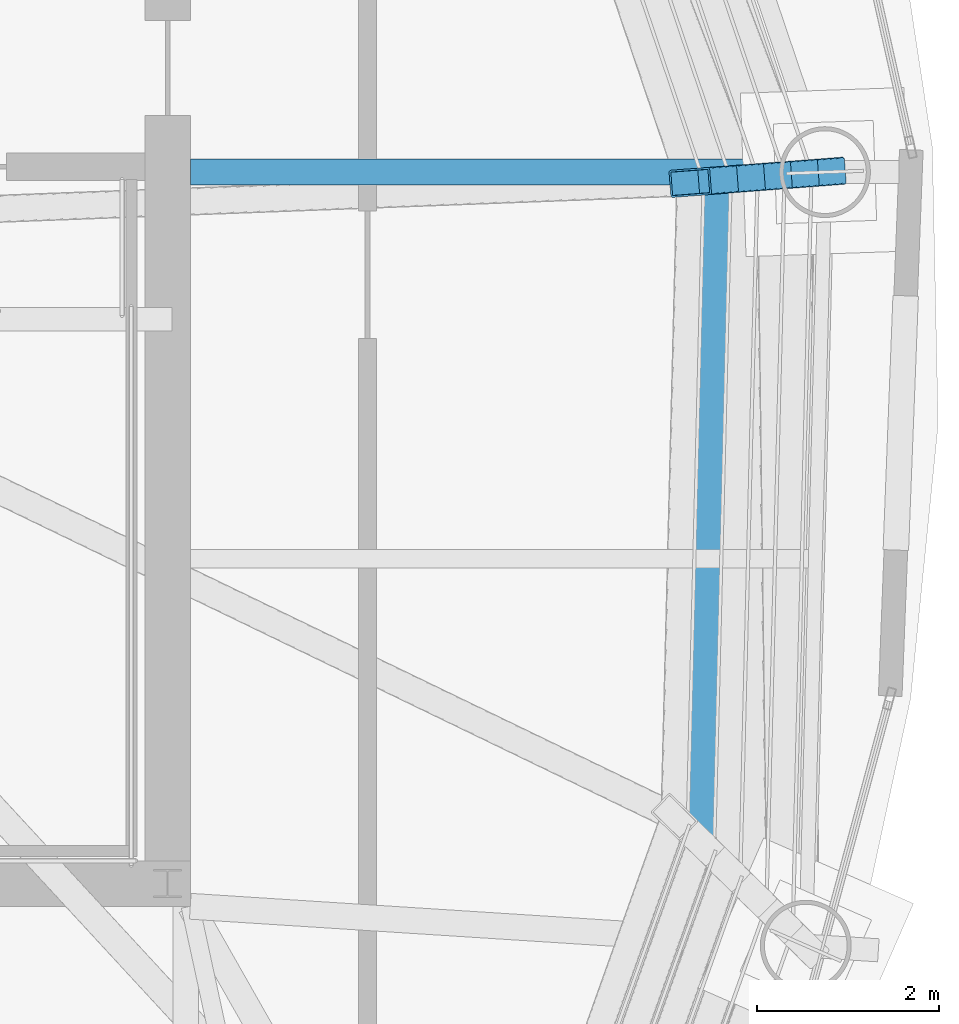
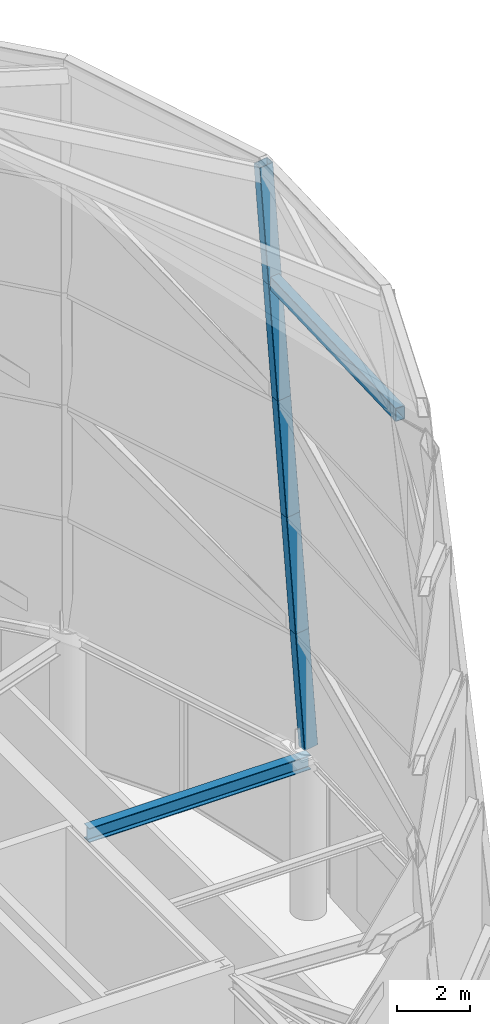
# One storey, part 20 of 40: 6 members, 1 beam.
"""IFC4 building model written with IfcOpenShell, lengths in metres."""

from ifc_helpers import new_model, si_unit, direction, frame, origin, origin_2d, place, context, subcontext, project, spatial, hollow_rectangle, i_section, extrude, material, material_profile, profile_set, type_object, element, save


model = new_model("IFC4")

# Units and contexts
model_context = context("Model", 3, precision=1e-05, world=origin(), true_north=direction((0.0, 1.0)))
body_context = subcontext(model_context, "Body", "Model", "MODEL_VIEW")
ifc_project = project(units=[si_unit("LENGTHUNIT", "METRE"), si_unit("AREAUNIT", "SQUARE_METRE"), si_unit("VOLUMEUNIT", "CUBIC_METRE"), si_unit("PLANEANGLEUNIT", "RADIAN"), si_unit("MASSUNIT", "GRAM", prefix="KILO")], contexts=[model_context])

# Site, building, storey
site_placement = place(None, origin())
site = spatial("IfcSite", under=ifc_project, at=site_placement, CompositionType="ELEMENT")
building_placement = place(site_placement, origin())
building = spatial("IfcBuilding", under=site, at=building_placement, Name="Bramvorn Convention Spire", CompositionType="ELEMENT")
storey_placement = place(building_placement, frame((0.0, 0.0, 312.5)))
storey = spatial("IfcBuildingStorey", under=building, at=storey_placement, Name="L79", CompositionType="ELEMENT", Elevation=312.5)

# Beam
ifc_material = material(Name="Steel CSA G40.21 Grade 350 (350W)", Category="steel")
ifc_material_profile_1 = material_profile(ifc_material, i_section(OverallWidth=0.283935546875, OverallDepth=0.47607421875, WebThickness=0.014892578125, FlangeThickness=0.02392578125, FilletRadius=0.01806640625, at=origin_2d()))
ifc_profile_set_1 = profile_set([ifc_material_profile_1], Name="Steel CSA G40.21 Grade 350 (350W) - W460X158")
beam_type = type_object("IfcBeamType", Name="BM-W460X158", PredefinedType="SPANDREL", material=ifc_profile_set_1)
beam_placement = place(storey_placement, frame((49.25, 26.62939453125, 5.011962890625), z_axis=(1.0, 0.0, 0.0), x_axis=(0.0, 1.0, 0.0)))
element("IfcBeam", 1, at=beam_placement, inside=storey, type_object=beam_type, Name="L79 radial floor girder MC04", PredefinedType="SPANDREL", context=body_context, shape_type="SweptSolid", body=[
    extrude(i_section(OverallWidth=0.283935546875, OverallDepth=0.47607421875, WebThickness=0.014892578125, FlangeThickness=0.02392578125, FilletRadius=0.01806640625, at=origin_2d()), origin(), (0.0, 0.0, 1.0), 6.984619140625),
])

# Members
ifc_material_profile_2 = material_profile(ifc_material, hollow_rectangle(XDim=0.300048828125, YDim=0.449951171875, WallThickness=0.02001953125, InnerFilletRadius=0.00390625, OuterFilletRadius=0.02392578125, at=origin_2d()))
ifc_profile_set_2 = profile_set([ifc_material_profile_2], Name="Steel CSA G40.21 Grade 350 (350W) - CROWN450X300X20")
member_type = type_object("IfcMemberType", Name="MBR-CROWN450X300X20", PredefinedType="USERDEFINED", material=ifc_profile_set_2)
for number, where, z_axis, x_axis, name in (
    (2, (56.234619140625, 26.62939453125, 5.5), (-0.07389292238, -0.005660660446, 0.99725011554), (0.076382462187, -0.997078592424, 0.0), "Crown spire CROWN FRAME rib T1-04"),
    (3, (55.938232421875, 26.606689453125, 9.5), (-0.073953482286, -0.005599769852, 0.997245970178), (0.075504021195, -0.997145497299, 0.0), "Crown spire CROWN FRAME rib T2-04"),
    (4, (55.6416015625, 26.584228515625, 13.5), (-0.07389292238, -0.005660660446, 0.99725011554), (0.076382462187, -0.997078592424, 0.0), "Crown spire CROWN FRAME rib T3-04"),
):
    element("IfcMember", number, at=place(storey_placement, frame(where, z_axis=z_axis, x_axis=x_axis)), inside=storey, type_object=member_type, Name=name, ObjectType="CROWN FRAME", PredefinedType="USERDEFINED", context=body_context, shape_type="SweptSolid", body=[
        extrude(hollow_rectangle(XDim=0.300048828125, YDim=0.449951171875, WallThickness=0.02001953125, InnerFilletRadius=0.00390625, OuterFilletRadius=0.02392578125, at=origin_2d()), origin(), (0.0, 0.0, 1.0), 4.010986328125),
    ])
member_placement = place(storey_placement, frame((54.868408203125, 19.251708984375, 21.5), z_axis=(0.024751192765, 0.999693642301, 0.0), x_axis=(-0.999693642301, 0.024751192765, 0.0)))
element("IfcMember", 5, at=member_placement, inside=storey, type_object=member_type, Name="Crown spire CROWN FRAME ring beam T4-03", ObjectType="CROWN FRAME", PredefinedType="USERDEFINED", context=body_context, shape_type="SweptSolid", body=[
    extrude(hollow_rectangle(XDim=0.300048828125, YDim=0.449951171875, WallThickness=0.02001953125, InnerFilletRadius=0.00390625, OuterFilletRadius=0.02392578125, at=origin_2d()), origin(), (0.0, 0.0, 1.0), 7.289306640625),
])
for number, where, z_axis, x_axis, name in (
    (6, (55.34521484375, 26.5615234375, 17.5), (-0.07389292238, -0.005660660446, 0.99725011554), (0.076382462187, -0.997078592424, 0.0), "Crown spire CROWN FRAME rib T4-04"),
    (7, (55.048828125, 26.538818359375, 21.5), (-0.07389292238, -0.005660660446, 0.99725011554), (0.076382462187, -0.997078592424, 0.0), "Crown spire CROWN FRAME rib T5-04"),
):
    element("IfcMember", number, at=place(storey_placement, frame(where, z_axis=z_axis, x_axis=x_axis)), inside=storey, type_object=member_type, Name=name, ObjectType="CROWN FRAME", PredefinedType="USERDEFINED", context=body_context, shape_type="SweptSolid", body=[
        extrude(hollow_rectangle(XDim=0.300048828125, YDim=0.449951171875, WallThickness=0.02001953125, InnerFilletRadius=0.00390625, OuterFilletRadius=0.02392578125, at=origin_2d()), origin(), (0.0, 0.0, 1.0), 4.010986328125),
    ])

save(model, "model.ifc")
